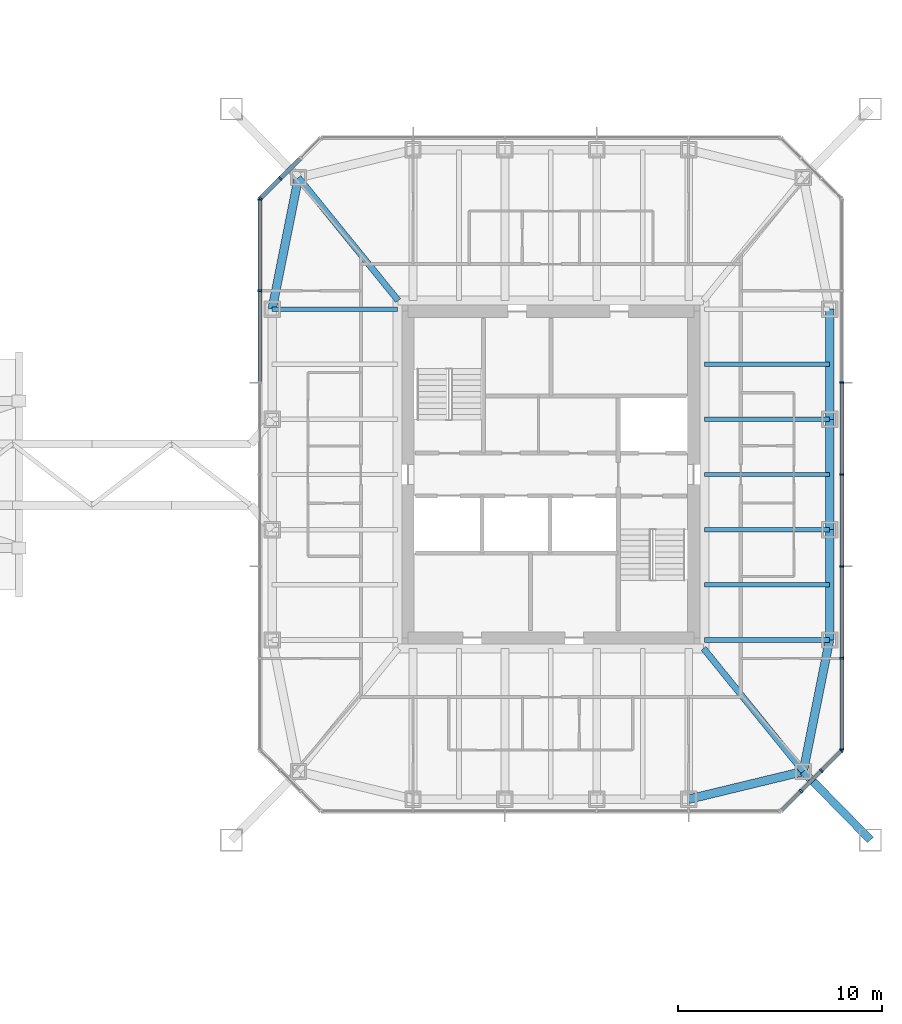
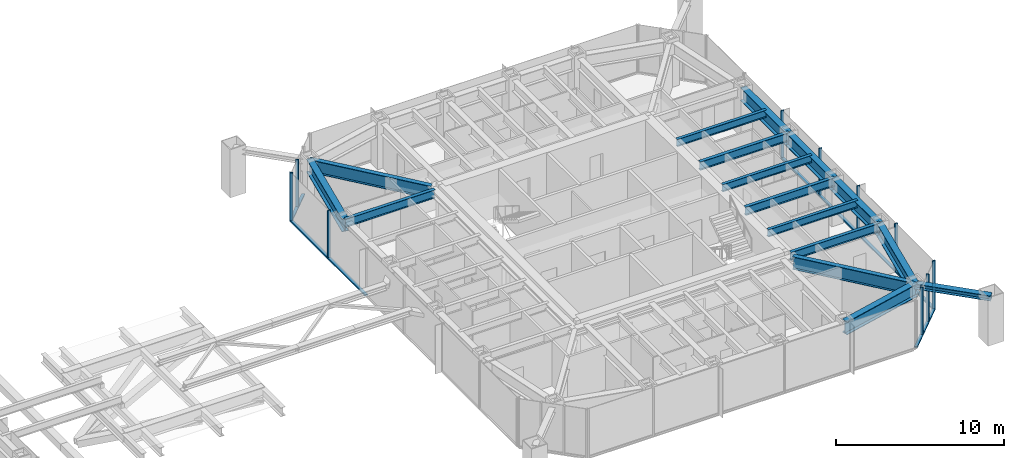
# One storey, part 9 of 26: 24 members, 15 beams, 4 elements without a shape of their own.
"""IFC4 building model written with IfcOpenShell, lengths in metres."""

from ifc_helpers import new_model, si_unit, direction, frame, origin, origin_2d, place, context, subcontext, project, spatial, rectangle, i_section, extrude, material, material_profile, profile_set, type_object, element, aggregate, save


model = new_model("IFC4")

# Units and contexts
model_context = context("Model", 3, precision=1e-05, world=origin(), true_north=direction((0.0, 1.0)))
body_context = subcontext(model_context, "Body", "Model", "MODEL_VIEW")
ifc_project = project(units=[si_unit("LENGTHUNIT", "METRE"), si_unit("AREAUNIT", "SQUARE_METRE"), si_unit("VOLUMEUNIT", "CUBIC_METRE"), si_unit("PLANEANGLEUNIT", "RADIAN"), si_unit("MASSUNIT", "GRAM", prefix="KILO")], contexts=[model_context])

# Site, building, storey
site_placement = place(None, origin())
site = spatial("IfcSite", under=ifc_project, at=site_placement, CompositionType="ELEMENT")
building_placement = place(site_placement, origin())
building = spatial("IfcBuilding", under=site, at=building_placement, Name="Iwan Alto Co-Living Towers", CompositionType="ELEMENT")
storey_placement = place(building_placement, frame((0.0, 0.0, 126.0)))
storey = spatial("IfcBuildingStorey", under=building, at=storey_placement, Name="L34", CompositionType="ELEMENT", Elevation=126.0)

# Curtain wall, members
ifc_material_1 = material(Name="Bronze aluminium unitised frame", Category="aluminium")
curtain_wall_type_1 = type_object("IfcCurtainWallType", Name="CURTAIN WALL CW-C", PredefinedType="NOTDEFINED", material=ifc_material_1)
curtain_wall_1_placement = place(storey_placement, origin())
curtain_wall_1 = element("IfcCurtainWall", 1, at=curtain_wall_1_placement, inside=storey, type_object=curtain_wall_type_1, Name="T2 curtain wall E L34", PredefinedType="NOTDEFINED")
ifc_material_2 = material(Name="Aluminium 6063-T6 bronze anodised", Category="aluminium")
ifc_material_profile_1 = material_profile(ifc_material_2, rectangle(XDim=0.199951171875, YDim=0.080078125, at=origin_2d()), Name="AL 80X200")
ifc_profile_set_1 = profile_set([ifc_material_profile_1], Name="Aluminium 6063-T6 bronze anodised")
member_type_1 = type_object("IfcMemberType", Name="CW-C MULLION 80X200", PredefinedType="MULLION", material=ifc_profile_set_1)
member_1_placement = place(storey_placement, frame((77.25, -13.4599609375, 0.0), z_axis=(0.0, 0.0, 1.0), x_axis=(-1.0, 0.0, 0.0)))
member_1 = element("IfcMember", 2, at=member_1_placement, type_object=member_type_1, Name="CW-C mullion 1", PredefinedType="MULLION", context=body_context, shape_type="SweptSolid", body=[
    extrude(rectangle(XDim=0.199951171875, YDim=0.080078125, at=origin_2d()), origin(), (0.0, 0.0, 1.0), 3.5),
])
member_2_placement = place(storey_placement, frame((77.25, -9.0, 0.0), z_axis=(0.0, 0.0, 1.0), x_axis=(-1.0, 0.0, 0.0)))
member_2 = element("IfcMember", 3, at=member_2_placement, type_object=member_type_1, Name="CW-C mullion 2", PredefinedType="MULLION", context=body_context, shape_type="SweptSolid", body=[
    extrude(rectangle(XDim=0.199951171875, YDim=0.080078125, at=origin_2d()), origin(), (0.0, 0.0, 1.0), 3.5),
])
member_3_placement = place(storey_placement, frame((77.25, -4.5, 0.0), z_axis=(0.0, 0.0, 1.0), x_axis=(-1.0, 0.0, 0.0)))
member_3 = element("IfcMember", 4, at=member_3_placement, type_object=member_type_1, Name="CW-C mullion 3", PredefinedType="MULLION", context=body_context, shape_type="SweptSolid", body=[
    extrude(rectangle(XDim=0.199951171875, YDim=0.080078125, at=origin_2d()), origin(), (0.0, 0.0, 1.0), 3.5),
])
member_4_placement = place(storey_placement, frame((77.25, 0.0, 0.0), z_axis=(0.0, 0.0, 1.0), x_axis=(-1.0, 0.0, 0.0)))
member_4 = element("IfcMember", 5, at=member_4_placement, type_object=member_type_1, Name="CW-C mullion 4", PredefinedType="MULLION", context=body_context, shape_type="SweptSolid", body=[
    extrude(rectangle(XDim=0.199951171875, YDim=0.080078125, at=origin_2d()), origin(), (0.0, 0.0, 1.0), 3.5),
])
member_5_placement = place(storey_placement, frame((77.25, 4.5, 0.0), z_axis=(0.0, 0.0, 1.0), x_axis=(-1.0, 0.0, 0.0)))
member_5 = element("IfcMember", 6, at=member_5_placement, type_object=member_type_1, Name="CW-C mullion 5", PredefinedType="MULLION", context=body_context, shape_type="SweptSolid", body=[
    extrude(rectangle(XDim=0.199951171875, YDim=0.080078125, at=origin_2d()), origin(), (0.0, 0.0, 1.0), 3.5),
])

curtain_wall_2_placement = place(storey_placement, origin())
curtain_wall_2 = element("IfcCurtainWall", 7, at=curtain_wall_2_placement, inside=storey, type_object=curtain_wall_type_1, Name="T2 curtain wall W L34", PredefinedType="NOTDEFINED")
member_6_placement = place(storey_placement, frame((48.75, 13.4599609375, 0.0), z_axis=(0.0, 0.0, 1.0), x_axis=(1.0, 0.0, 0.0)))
member_6 = element("IfcMember", 8, at=member_6_placement, type_object=member_type_1, Name="CW-C mullion 1", PredefinedType="MULLION", context=body_context, shape_type="SweptSolid", body=[
    extrude(rectangle(XDim=0.199951171875, YDim=0.080078125, at=origin_2d()), origin(), (0.0, 0.0, 1.0), 3.5),
])
member_7_placement = place(storey_placement, frame((48.75, 9.0, 0.0), z_axis=(0.0, 0.0, 1.0), x_axis=(1.0, 0.0, 0.0)))
member_7 = element("IfcMember", 9, at=member_7_placement, type_object=member_type_1, Name="CW-C mullion 2", PredefinedType="MULLION", context=body_context, shape_type="SweptSolid", body=[
    extrude(rectangle(XDim=0.199951171875, YDim=0.080078125, at=origin_2d()), origin(), (0.0, 0.0, 1.0), 3.5),
])

# Member
ifc_material_3 = material(Name="Aluminium 6063-T6 bronze anodised", Category="aluminium")
ifc_material_profile_2 = material_profile(ifc_material_3, rectangle(XDim=0.199951171875, YDim=0.10009765625, at=origin_2d()), Name="AL 200X100")
ifc_profile_set_2 = profile_set([ifc_material_profile_2], Name="Aluminium 6063-T6 bronze anodised")
member_type_2 = type_object("IfcMemberType", Name="CW-C TRANSOM 200X100", PredefinedType="USERDEFINED", material=ifc_profile_set_2)
member_8_placement = place(storey_placement, frame((77.25, -13.419921875, 0.050048828125), z_axis=(0.0, 1.0, 0.0), x_axis=(-1.0, 0.0, 0.0)))
member_8 = element("IfcMember", 10, at=member_8_placement, type_object=member_type_2, Name="CW-C transom 1.1", ObjectType="TRANSOM", PredefinedType="USERDEFINED", context=body_context, shape_type="SweptSolid", body=[
    extrude(rectangle(XDim=0.199951171875, YDim=0.10009765625, at=origin_2d()), origin(), (0.0, 0.0, 1.0), 4.3798828125),
])

member_9_placement = place(storey_placement, frame((77.25, -8.9599609375, 0.050048828125), z_axis=(0.0, 1.0, 0.0), x_axis=(-1.0, 0.0, 0.0)))
member_9 = element("IfcMember", 11, at=member_9_placement, type_object=member_type_2, Name="CW-C transom 2.1", ObjectType="TRANSOM", PredefinedType="USERDEFINED", context=body_context, shape_type="SweptSolid", body=[
    extrude(rectangle(XDim=0.199951171875, YDim=0.10009765625, at=origin_2d()), origin(), (0.0, 0.0, 1.0), 4.419921875),
])

member_10_placement = place(storey_placement, frame((77.25, -4.4599609375, 0.050048828125), z_axis=(0.0, 1.0, 0.0), x_axis=(-1.0, 0.0, 0.0)))
member_10 = element("IfcMember", 12, at=member_10_placement, type_object=member_type_2, Name="CW-C transom 3.1", ObjectType="TRANSOM", PredefinedType="USERDEFINED", context=body_context, shape_type="SweptSolid", body=[
    extrude(rectangle(XDim=0.199951171875, YDim=0.10009765625, at=origin_2d()), origin(), (0.0, 0.0, 1.0), 4.419921875),
])

member_11_placement = place(storey_placement, frame((77.25, 0.0400390625, 0.050048828125), z_axis=(0.0, 1.0, 0.0), x_axis=(-1.0, 0.0, 0.0)))
member_11 = element("IfcMember", 13, at=member_11_placement, type_object=member_type_2, Name="CW-C transom 4.1", ObjectType="TRANSOM", PredefinedType="USERDEFINED", context=body_context, shape_type="SweptSolid", body=[
    extrude(rectangle(XDim=0.199951171875, YDim=0.10009765625, at=origin_2d()), origin(), (0.0, 0.0, 1.0), 4.419921875),
])

aggregate(curtain_wall_1, [member_1, member_2, member_3, member_4, member_5, member_8, member_9, member_10, member_11])

member_12_placement = place(storey_placement, frame((48.75, 13.419921875, 0.050048828125), z_axis=(0.0, -1.0, 0.0), x_axis=(1.0, 0.0, 0.0)))
member_12 = element("IfcMember", 14, at=member_12_placement, type_object=member_type_2, Name="CW-C transom 1.1", ObjectType="TRANSOM", PredefinedType="USERDEFINED", context=body_context, shape_type="SweptSolid", body=[
    extrude(rectangle(XDim=0.199951171875, YDim=0.10009765625, at=origin_2d()), origin(), (0.0, 0.0, 1.0), 4.3798828125),
])

member_13_placement = place(storey_placement, frame((48.75, 8.9599609375, 0.050048828125), z_axis=(0.0, -1.0, 0.0), x_axis=(1.0, 0.0, 0.0)))
member_13 = element("IfcMember", 15, at=member_13_placement, type_object=member_type_2, Name="CW-C transom 2.1", ObjectType="TRANSOM", PredefinedType="USERDEFINED", context=body_context, shape_type="SweptSolid", body=[
    extrude(rectangle(XDim=0.199951171875, YDim=0.10009765625, at=origin_2d()), origin(), (0.0, 0.0, 1.0), 4.419921875),
])

aggregate(curtain_wall_2, [member_6, member_7, member_12, member_13])

# Curtain wall, members
ifc_material_4 = material(Name="Bronze aluminium unitised frame", Category="aluminium")
curtain_wall_type_2 = type_object("IfcCurtainWallType", Name="CURTAIN WALL CW-D", PredefinedType="NOTDEFINED", material=ifc_material_4)
curtain_wall_3_placement = place(storey_placement, origin())
curtain_wall_3 = element("IfcCurtainWall", 16, at=curtain_wall_3_placement, inside=storey, type_object=curtain_wall_type_2, Name="T2 chamfer curtain wall SE L34", PredefinedType="NOTDEFINED")
ifc_material_5 = material(Name="Aluminium 6063-T6 bronze anodised", Category="aluminium")
ifc_material_profile_3 = material_profile(ifc_material_5, rectangle(XDim=0.199951171875, YDim=0.080078125, at=origin_2d()), Name="AL 80X200")
ifc_profile_set_3 = profile_set([ifc_material_profile_3], Name="Aluminium 6063-T6 bronze anodised")
member_type_3 = type_object("IfcMemberType", Name="CW-D MULLION 80X200", PredefinedType="MULLION", material=ifc_profile_set_3)
member_14_placement = place(storey_placement, frame((75.25, -15.5, 0.0), z_axis=(0.0, 0.0, 1.0), x_axis=(-0.707106781187, 0.707106781187, 0.0)))
member_14 = element("IfcMember", 17, at=member_14_placement, type_object=member_type_3, Name="CW-D mullion 2", PredefinedType="MULLION", context=body_context, shape_type="SweptSolid", body=[
    extrude(rectangle(XDim=0.199951171875, YDim=0.080078125, at=origin_2d()), origin(), (0.0, 0.0, 1.0), 3.5),
])
member_15_placement = place(storey_placement, frame((76.25, -14.5, 0.0), z_axis=(0.0, 0.0, 1.0), x_axis=(-0.707106781187, 0.707106781187, 0.0)))
member_15 = element("IfcMember", 18, at=member_15_placement, type_object=member_type_3, Name="CW-D mullion 3", PredefinedType="MULLION", context=body_context, shape_type="SweptSolid", body=[
    extrude(rectangle(XDim=0.199951171875, YDim=0.080078125, at=origin_2d()), origin(), (0.0, 0.0, 1.0), 3.5),
])
member_16_placement = place(storey_placement, frame((77.2216796875, -13.5283203125, 0.0), z_axis=(0.0, 0.0, 1.0), x_axis=(-0.707106781187, 0.707106781187, 0.0)))
member_16 = element("IfcMember", 19, at=member_16_placement, type_object=member_type_3, Name="CW-D mullion 4", PredefinedType="MULLION", context=body_context, shape_type="SweptSolid", body=[
    extrude(rectangle(XDim=0.199951171875, YDim=0.080078125, at=origin_2d()), origin(), (0.0, 0.0, 1.0), 3.5),
])

curtain_wall_4_placement = place(storey_placement, origin())
curtain_wall_4 = element("IfcCurtainWall", 20, at=curtain_wall_4_placement, inside=storey, type_object=curtain_wall_type_2, Name="T2 chamfer curtain wall NW L34", PredefinedType="NOTDEFINED")
member_17_placement = place(storey_placement, frame((49.75, 14.5, 0.0), z_axis=(0.0, 0.0, 1.0), x_axis=(0.707106781187, -0.707106781187, 0.0)))
member_17 = element("IfcMember", 21, at=member_17_placement, type_object=member_type_3, Name="CW-D mullion 3", PredefinedType="MULLION", context=body_context, shape_type="SweptSolid", body=[
    extrude(rectangle(XDim=0.199951171875, YDim=0.080078125, at=origin_2d()), origin(), (0.0, 0.0, 1.0), 3.5),
])
member_18_placement = place(storey_placement, frame((48.7783203125, 13.5283203125, 0.0), z_axis=(0.0, 0.0, 1.0), x_axis=(0.707106781187, -0.707106781187, 0.0)))
member_18 = element("IfcMember", 22, at=member_18_placement, type_object=member_type_3, Name="CW-D mullion 4", PredefinedType="MULLION", context=body_context, shape_type="SweptSolid", body=[
    extrude(rectangle(XDim=0.199951171875, YDim=0.080078125, at=origin_2d()), origin(), (0.0, 0.0, 1.0), 3.5),
])

# Member
ifc_material_6 = material(Name="Aluminium 6063-T6 bronze anodised", Category="aluminium")
ifc_material_profile_4 = material_profile(ifc_material_6, rectangle(XDim=0.199951171875, YDim=0.10009765625, at=origin_2d()), Name="AL 200X100")
ifc_profile_set_4 = profile_set([ifc_material_profile_4], Name="Aluminium 6063-T6 bronze anodised")
member_type_4 = type_object("IfcMemberType", Name="CW-D TRANSOM 200X100", PredefinedType="USERDEFINED", material=ifc_profile_set_4)
member_19_placement = place(storey_placement, frame((74.306640625, -16.443359375, 0.050048828125), z_axis=(0.707106781187, 0.707106781187, 0.0), x_axis=(-0.707106781187, 0.707106781187, 0.0)))
member_19 = element("IfcMember", 23, at=member_19_placement, type_object=member_type_4, Name="CW-D transom 1.1", ObjectType="TRANSOM", PredefinedType="USERDEFINED", context=body_context, shape_type="SweptSolid", body=[
    extrude(rectangle(XDim=0.199951171875, YDim=0.10009765625, at=origin_2d()), origin(), (0.0, 0.0, 1.0), 1.2939453125),
])

member_20_placement = place(storey_placement, frame((75.2783203125, -15.4716796875, 0.050048828125), z_axis=(0.707106781187, 0.707106781187, 0.0), x_axis=(-0.707106781187, 0.707106781187, 0.0)))
member_20 = element("IfcMember", 24, at=member_20_placement, type_object=member_type_4, Name="CW-D transom 2.1", ObjectType="TRANSOM", PredefinedType="USERDEFINED", context=body_context, shape_type="SweptSolid", body=[
    extrude(rectangle(XDim=0.199951171875, YDim=0.10009765625, at=origin_2d()), origin(), (0.0, 0.0, 1.0), 1.334228515625),
])

member_21_placement = place(storey_placement, frame((76.2783203125, -14.4716796875, 0.050048828125), z_axis=(0.707106781187, 0.707106781187, 0.0), x_axis=(-0.707106781187, 0.707106781187, 0.0)))
member_21 = element("IfcMember", 25, at=member_21_placement, type_object=member_type_4, Name="CW-D transom 3.1", ObjectType="TRANSOM", PredefinedType="USERDEFINED", context=body_context, shape_type="SweptSolid", body=[
    extrude(rectangle(XDim=0.199951171875, YDim=0.10009765625, at=origin_2d()), origin(), (0.0, 0.0, 1.0), 1.2939453125),
])

aggregate(curtain_wall_3, [member_14, member_15, member_16, member_19, member_20, member_21])

member_22_placement = place(storey_placement, frame((50.7216796875, 15.4716796875, 0.050048828125), z_axis=(-0.707106781187, -0.707106781187, 0.0), x_axis=(0.707106781187, -0.707106781187, 0.0)))
member_22 = element("IfcMember", 26, at=member_22_placement, type_object=member_type_4, Name="CW-D transom 2.1", ObjectType="TRANSOM", PredefinedType="USERDEFINED", context=body_context, shape_type="SweptSolid", body=[
    extrude(rectangle(XDim=0.199951171875, YDim=0.10009765625, at=origin_2d()), origin(), (0.0, 0.0, 1.0), 1.334228515625),
])

member_23_placement = place(storey_placement, frame((49.7216796875, 14.4716796875, 0.050048828125), z_axis=(-0.707106781187, -0.707106781187, 0.0), x_axis=(0.707106781187, -0.707106781187, 0.0)))
member_23 = element("IfcMember", 27, at=member_23_placement, type_object=member_type_4, Name="CW-D transom 3.1", ObjectType="TRANSOM", PredefinedType="USERDEFINED", context=body_context, shape_type="SweptSolid", body=[
    extrude(rectangle(XDim=0.199951171875, YDim=0.10009765625, at=origin_2d()), origin(), (0.0, 0.0, 1.0), 1.2939453125),
])

aggregate(curtain_wall_4, [member_17, member_18, member_22, member_23])

# Beams
ifc_material_7 = material(Name="Steel ASTM A992 Gr 50", Category="steel")
ifc_material_profile_5 = material_profile(ifc_material_7, i_section(OverallWidth=0.307373046875, OverallDepth=0.927001953125, WebThickness=0.01953125, FlangeThickness=0.031982421875, at=origin_2d()), Name="W36X194")
ifc_profile_set_5 = profile_set([ifc_material_profile_5], Name="Steel ASTM A992 Gr 50")
beam_type_1 = type_object("IfcBeamType", Name="T2 CORNER GIRDER W36X194", PredefinedType="BEAM", material=ifc_profile_set_5)
for number, where, z_axis, x_axis, name in (
    (28, (75.361328125, -14.542724609375, 2.786376953125), (-0.629787584927, 0.776767402683, 0.0), (-0.776767402683, -0.629787584927, 0.0), "T2 corner girder CSE L35"),
    (29, (50.638671875, 14.542724609375, 2.786376953125), (0.629787584927, -0.776767402683, 0.0), (0.776767402683, 0.629787584927, 0.0), "T2 corner girder CNW L35"),
):
    element("IfcBeam", number, at=place(storey_placement, frame(where, z_axis=z_axis, x_axis=x_axis)), inside=storey, type_object=beam_type_1, Name=name, PredefinedType="BEAM", context=body_context, shape_type="SweptSolid", body=[
        extrude(i_section(OverallWidth=0.307373046875, OverallDepth=0.927001953125, WebThickness=0.01953125, FlangeThickness=0.031982421875, at=origin_2d()), origin(), (0.0, 0.0, 1.0), 7.75537109375),
    ])
ifc_material_8 = material(Name="Steel ASTM A992 Gr 50", Category="steel")
ifc_material_profile_6 = material_profile(ifc_material_8, i_section(OverallWidth=0.424072265625, OverallDepth=0.947509765625, WebThickness=0.02392578125, FlangeThickness=0.042724609375, at=origin_2d()), Name="W36X302")
ifc_profile_set_6 = profile_set([ifc_material_profile_6], Name="Steel ASTM A992 Gr 50")
beam_type_2 = type_object("IfcBeamType", Name="T2 EDGE BEAM W36X302", PredefinedType="BEAM", material=ifc_profile_set_6)
beam_1_placement = place(storey_placement, frame((69.75, -15.89990234375, 2.7763671875), z_axis=(0.971974673138, 0.235085590323, 0.0), x_axis=(-0.235085590323, 0.971974673138, 0.0)))
element("IfcBeam", 30, at=beam_1_placement, inside=storey, type_object=beam_type_2, Name="T2 edge beam S4 L35", PredefinedType="BEAM", context=body_context, shape_type="SweptSolid", body=[
    extrude(i_section(OverallWidth=0.424072265625, OverallDepth=0.947509765625, WebThickness=0.02392578125, FlangeThickness=0.042724609375, at=origin_2d()), origin(), (0.0, 0.0, 1.0), 5.773193359375),
])
beam_2_placement = place(storey_placement, frame((75.361328125, -14.542724609375, 2.7763671875), z_axis=(0.196123281025, 0.980579246487, 0.0), x_axis=(-0.980579246487, 0.196123281025, 0.0)))
element("IfcBeam", 31, at=beam_2_placement, inside=storey, type_object=beam_type_2, Name="T2 edge beam CSE L35", PredefinedType="BEAM", context=body_context, shape_type="SweptSolid", body=[
    extrude(i_section(OverallWidth=0.424072265625, OverallDepth=0.947509765625, WebThickness=0.02392578125, FlangeThickness=0.042724609375, at=origin_2d()), origin(), (0.0, 0.0, 1.0), 6.5703125),
])
beam_3_placement = place(storey_placement, frame((76.64990234375, -8.10009765625, 2.7763671875), z_axis=(0.0, 1.0, 0.0), x_axis=(-1.0, 0.0, 0.0)))
element("IfcBeam", 32, at=beam_3_placement, inside=storey, type_object=beam_type_2, Name="T2 edge beam E1 L35", PredefinedType="BEAM", context=body_context, shape_type="SweptSolid", body=[
    extrude(i_section(OverallWidth=0.424072265625, OverallDepth=0.947509765625, WebThickness=0.02392578125, FlangeThickness=0.042724609375, at=origin_2d()), origin(), (0.0, 0.0, 1.0), 5.400146484375),
])
beam_4_placement = place(storey_placement, frame((76.64990234375, -2.699951171875, 2.7763671875), z_axis=(0.0, 1.0, 0.0), x_axis=(-1.0, 0.0, 0.0)))
element("IfcBeam", 33, at=beam_4_placement, inside=storey, type_object=beam_type_2, Name="T2 edge beam E2 L35", PredefinedType="BEAM", context=body_context, shape_type="SweptSolid", body=[
    extrude(i_section(OverallWidth=0.424072265625, OverallDepth=0.947509765625, WebThickness=0.02392578125, FlangeThickness=0.042724609375, at=origin_2d()), origin(), (0.0, 0.0, 1.0), 5.39990234375),
])
beam_5_placement = place(storey_placement, frame((76.64990234375, 2.699951171875, 2.7763671875), z_axis=(0.0, 1.0, 0.0), x_axis=(-1.0, 0.0, 0.0)))
element("IfcBeam", 34, at=beam_5_placement, inside=storey, type_object=beam_type_2, Name="T2 edge beam E3 L35", PredefinedType="BEAM", context=body_context, shape_type="SweptSolid", body=[
    extrude(i_section(OverallWidth=0.424072265625, OverallDepth=0.947509765625, WebThickness=0.02392578125, FlangeThickness=0.042724609375, at=origin_2d()), origin(), (0.0, 0.0, 1.0), 5.400146484375),
])
beam_6_placement = place(storey_placement, frame((50.638671875, 14.542724609375, 2.7763671875), z_axis=(-0.196123281025, -0.980579246487, 0.0), x_axis=(0.980579246487, -0.196123281025, 0.0)))
element("IfcBeam", 35, at=beam_6_placement, inside=storey, type_object=beam_type_2, Name="T2 edge beam CNW L35", PredefinedType="BEAM", context=body_context, shape_type="SweptSolid", body=[
    extrude(i_section(OverallWidth=0.424072265625, OverallDepth=0.947509765625, WebThickness=0.02392578125, FlangeThickness=0.042724609375, at=origin_2d()), origin(), (0.0, 0.0, 1.0), 6.5703125),
])

# Member
ifc_material_9 = material(Name="Steel ASTM A992 Gr 50", Category="steel")
ifc_material_profile_7 = material_profile(ifc_material_9, i_section(OverallWidth=0.393798828125, OverallDepth=0.3759765625, WebThickness=0.017333984375, FlangeThickness=0.027587890625, at=origin_2d()), Name="W14X145")
ifc_profile_set_7 = profile_set([ifc_material_profile_7], Name="Steel ASTM A992 Gr 50")
member_type_5 = type_object("IfcMemberType", Name="T2 MEGA COLUMN FLOOR TIE W14X145", PredefinedType="STRUT", material=ifc_profile_set_7)
member_24_placement = place(storey_placement, frame((78.64990234375, -17.89990234375, 3.06201171875), z_axis=(-0.699770096147, 0.714368121166, 0.0), x_axis=(-0.714368121166, -0.699770096147, 0.0)))
element("IfcMember", 36, at=member_24_placement, inside=storey, type_object=member_type_5, Name="T2 mega column floor tie SE L35", PredefinedType="STRUT", context=body_context, shape_type="SweptSolid", body=[
    extrude(i_section(OverallWidth=0.393798828125, OverallDepth=0.3759765625, WebThickness=0.017333984375, FlangeThickness=0.027587890625, at=origin_2d()), origin(), (0.0, 0.0, 1.0), 4.699462890625),
])

# Beams
ifc_material_10 = material(Name="Steel ASTM A992 Gr 50", Category="steel")
ifc_material_profile_8 = material_profile(ifc_material_10, i_section(OverallWidth=0.228271484375, OverallDepth=0.607177734375, WebThickness=0.01123046875, FlangeThickness=0.017333984375, at=origin_2d()), Name="W24X76")
ifc_profile_set_8 = profile_set([ifc_material_profile_8], Name="Steel ASTM A992 Gr 50")
beam_type_3 = type_object("IfcBeamType", Name="T2 RADIAL BEAM W24X76", PredefinedType="BEAM", material=ifc_profile_set_8)
for number, where, z_axis, x_axis, name in (
    (37, (76.64990234375, -8.10009765625, 2.946533203125), (-1.0, 0.0, 0.0), (0.0, -1.0, 0.0), "T2 radial beam E1 L35"),
    (38, (76.64990234375, -2.699951171875, 2.946533203125), (-1.0, 0.0, 0.0), (0.0, -1.0, 0.0), "T2 radial beam E2 L35"),
    (39, (76.64990234375, 2.699951171875, 2.946533203125), (-1.0, 0.0, 0.0), (0.0, -1.0, 0.0), "T2 radial beam E3 L35"),
    (40, (49.35009765625, 8.10009765625, 2.946533203125), (1.0, 0.0, 0.0), (0.0, 1.0, 0.0), "T2 radial beam W1 L35"),
):
    element("IfcBeam", number, at=place(storey_placement, frame(where, z_axis=z_axis, x_axis=x_axis)), inside=storey, type_object=beam_type_3, Name=name, PredefinedType="BEAM", context=body_context, shape_type="SweptSolid", body=[
        extrude(i_section(OverallWidth=0.228271484375, OverallDepth=0.607177734375, WebThickness=0.01123046875, FlangeThickness=0.017333984375, at=origin_2d()), origin(), (0.0, 0.0, 1.0), 6.13134765625),
    ])
ifc_material_11 = material(Name="Steel ASTM A992 Gr 50", Category="steel")
ifc_material_profile_9 = material_profile(ifc_material_11, i_section(OverallWidth=0.209228515625, OverallDepth=0.533447265625, WebThickness=0.01025390625, FlangeThickness=0.015625, at=origin_2d()), Name="W21X62")
ifc_profile_set_9 = profile_set([ifc_material_profile_9], Name="Steel ASTM A992 Gr 50")
beam_type_4 = type_object("IfcBeamType", Name="T2 SECONDARY BEAM W21X62", PredefinedType="JOIST", material=ifc_profile_set_9)
for number, where, z_axis, x_axis, name in (
    (41, (76.64990234375, -5.39990234375, 2.9833984375), (-1.0, 0.0, 0.0), (0.0, -1.0, 0.0), "T2 secondary beam E1 L35"),
    (42, (76.64990234375, 0.0, 2.9833984375), (-1.0, 0.0, 0.0), (0.0, -1.0, 0.0), "T2 secondary beam E2 L35"),
    (43, (76.64990234375, 5.39990234375, 2.9833984375), (-1.0, 0.0, 0.0), (0.0, -1.0, 0.0), "T2 secondary beam E3 L35"),
):
    element("IfcBeam", number, at=place(storey_placement, frame(where, z_axis=z_axis, x_axis=x_axis)), inside=storey, type_object=beam_type_4, Name=name, PredefinedType="JOIST", context=body_context, shape_type="SweptSolid", body=[
        extrude(i_section(OverallWidth=0.209228515625, OverallDepth=0.533447265625, WebThickness=0.01025390625, FlangeThickness=0.015625, at=origin_2d()), origin(), (0.0, 0.0, 1.0), 6.13134765625),
    ])

save(model, "model.ifc")
